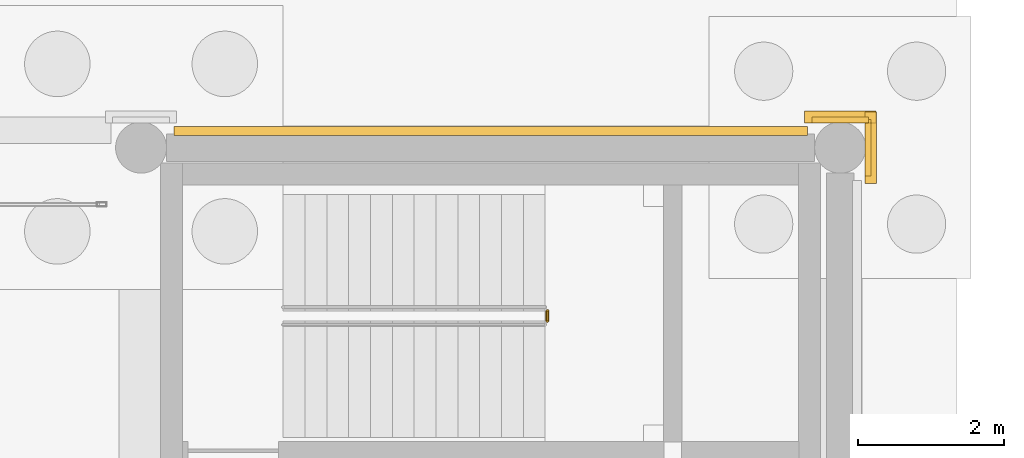
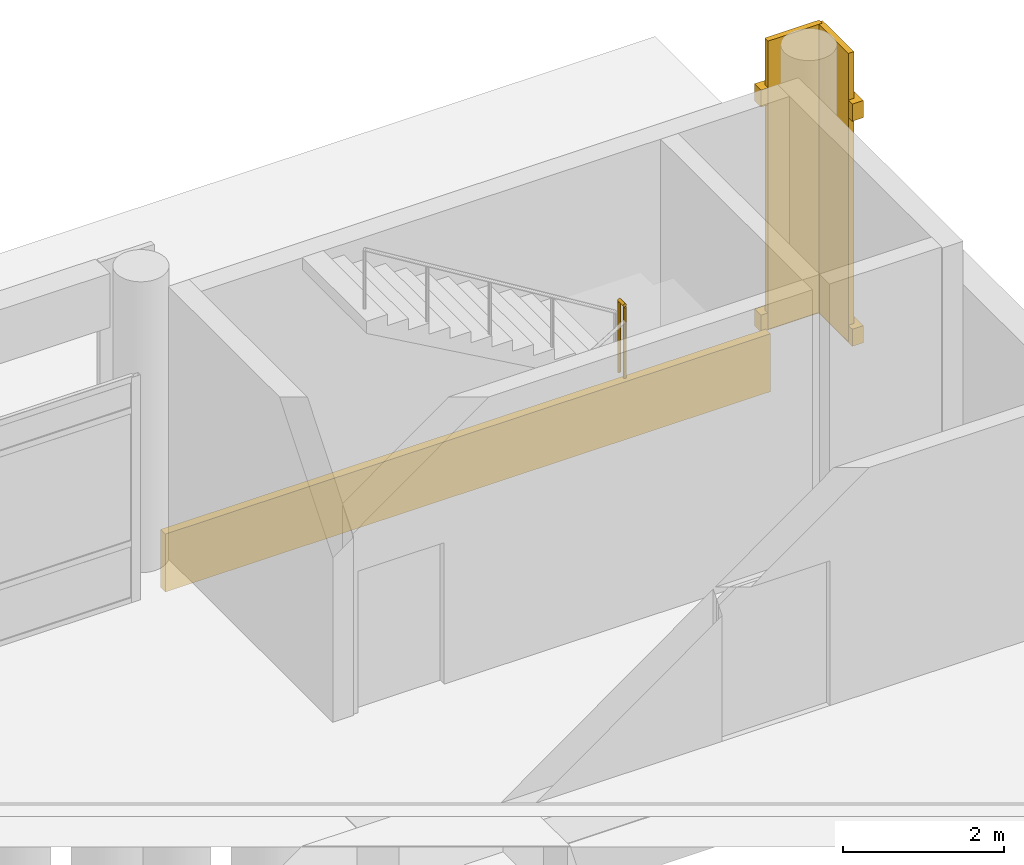
# One storey, part 194 of 196: 7 coverings, 1 railing.
"""IFC4 building model written with IfcOpenShell, lengths in metres."""

from ifc_helpers import new_model, si_unit, direction, frame, origin, origin_2d, place, context, subcontext, project, spatial, rectangle, circle, extrude, material, layer, layer_set, type_object, element, save


model = new_model("IFC4")

# Units and contexts
model_context = context("Model", 3, precision=1e-05, world=origin(), true_north=direction((0.0, 1.0)))
body_context = subcontext(model_context, "Body", "Model", "MODEL_VIEW")
ifc_project = project(units=[si_unit("LENGTHUNIT", "METRE"), si_unit("AREAUNIT", "SQUARE_METRE"), si_unit("VOLUMEUNIT", "CUBIC_METRE"), si_unit("PLANEANGLEUNIT", "RADIAN"), si_unit("MASSUNIT", "GRAM", prefix="KILO")], contexts=[model_context])

# Site, building, storey
site_placement = place(None, origin())
site = spatial("IfcSite", under=ifc_project, at=site_placement, CompositionType="ELEMENT")
building_placement = place(site_placement, origin())
building = spatial("IfcBuilding", under=site, at=building_placement, Name="Asteropetra Specialist Clinic", CompositionType="ELEMENT")
storey_placement = place(building_placement, origin())
storey = spatial("IfcBuildingStorey", under=building, at=storey_placement, Name="L00", CompositionType="ELEMENT", Elevation=0.0)

# Coverings
ifc_material_1 = material(Name="Pentelic marble ashlar", Category="masonry")
ifc_layer = layer(ifc_material_1, 0.159912109375)
ifc_layer_set = layer_set([ifc_layer], Name="Pentelic marble ashlar")
covering_type = type_object("IfcCoveringType", Name="CRN-ENTAB-600", PredefinedType="MOLDING", material=ifc_layer_set)
covering_1_placement = place(storey_placement, frame((153.60009765625, 105.98193359375, 0.02001953125), z_axis=(0.0, 0.0, 1.0), x_axis=(1.0, 0.0, 0.0)))
element("IfcCovering", 1, at=covering_1_placement, inside=storey, type_object=covering_type, Name="Neoclassical Pilaster Facing CM-0169", PredefinedType="MOLDING", context=body_context, shape_type="SweptSolid", body=[
    extrude(rectangle(XDim=0.780029296875, YDim=0.080078125, at=origin_2d()), origin(), (0.0, 0.0, 1.0), 4.3798828125),
])
for number, where, z_axis, x_axis, name in (
    (2, (153.60009765625, 106.02197265625, 0.009765625), (0.0, 0.0, 1.0), (1.0, 0.0, 0.0), "Doric Base CC-0170"),
    (3, (153.60009765625, 106.02197265625, 3.43017578125), (0.0, 0.0, 1.0), (1.0, 0.0, 0.0), "Doric Capital CC-0171"),
):
    element("IfcCovering", number, at=place(storey_placement, frame(where, z_axis=z_axis, x_axis=x_axis)), inside=storey, type_object=covering_type, Name=name, PredefinedType="MOLDING", context=body_context, shape_type="SweptSolid", body=[
        extrude(rectangle(XDim=0.97998046875, YDim=0.159912109375, at=origin_2d()), origin(), (0.0, 0.0, 1.0), 0.260009765625),
    ])
covering_2_placement = place(storey_placement, frame((153.98193359375, 105.60009765625, 0.02001953125), z_axis=(0.0, 0.0, 1.0), x_axis=(1.0, 0.0, 0.0)))
element("IfcCovering", 4, at=covering_2_placement, inside=storey, type_object=covering_type, Name="Neoclassical Pilaster Facing CM-0172", PredefinedType="MOLDING", context=body_context, shape_type="SweptSolid", body=[
    extrude(rectangle(XDim=0.080078125, YDim=0.780029296875, at=origin_2d()), origin(), (0.0, 0.0, 1.0), 4.3798828125),
])
for number, where, z_axis, x_axis, name in (
    (5, (154.02197265625, 105.60009765625, 0.009765625), (0.0, 0.0, 1.0), (1.0, 0.0, 0.0), "Doric Base CC-0173"),
    (6, (154.02197265625, 105.60009765625, 3.43017578125), (0.0, 0.0, 1.0), (1.0, 0.0, 0.0), "Doric Capital CC-0174"),
):
    element("IfcCovering", number, at=place(storey_placement, frame(where, z_axis=z_axis, x_axis=x_axis)), inside=storey, type_object=covering_type, Name=name, PredefinedType="MOLDING", context=body_context, shape_type="SweptSolid", body=[
        extrude(rectangle(XDim=0.159912109375, YDim=0.97998046875, at=origin_2d()), origin(), (0.0, 0.0, 1.0), 0.260009765625),
    ])
covering_3_placement = place(storey_placement, frame((148.800048828125, 105.830078125, -0.800048828125), z_axis=(0.0, 0.0, 1.0), x_axis=(1.0, 0.0, 0.0)))
element("IfcCovering", 7, at=covering_3_placement, inside=storey, type_object=covering_type, Name="Chevron Spandrel Band CV-1199", PredefinedType="MOLDING", context=body_context, shape_type="SweptSolid", body=[
    extrude(rectangle(XDim=8.699951171875, YDim=0.1201171875, at=origin_2d()), origin(), (0.0, 0.0, 1.0), 0.8798828125),
])

# Railing
ifc_material_2 = material(Name="Steel S355 and laminated glass guard", Category="steel")
railing_type = type_object("IfcRailingType", Name="GRD-INT-1120", PredefinedType="GUARDRAIL", material=ifc_material_2)
railing_placement = place(storey_placement, frame((149.580078125, 103.219970703125, 2.2099609375)))
element("IfcRailing", 8, at=railing_placement, inside=storey, type_object=railing_type, Name="Landing Slot Guard ST12-L00", PredefinedType="GUARDRAIL", context=body_context, shape_type="SweptSolid", body=[
    extrude(circle(Radius=0.02392578125, at=origin_2d()), frame((0.0, 0.0, 1.09619140625), z_axis=(0.0, 1.0, 0.0), x_axis=(-1.0, 0.0, 0.0)), (0.0, 0.0, 1.0), 0.14013671875),
    extrude(circle(Radius=0.02099609375, at=origin_2d()), origin(), (0.0, 0.0, 1.0), 1.072021484375),
    extrude(circle(Radius=0.02099609375, at=origin_2d()), frame((0.0, 0.14013671875, 0.0)), (0.0, 0.0, 1.0), 1.072021484375),
])

save(model, "model.ifc")
